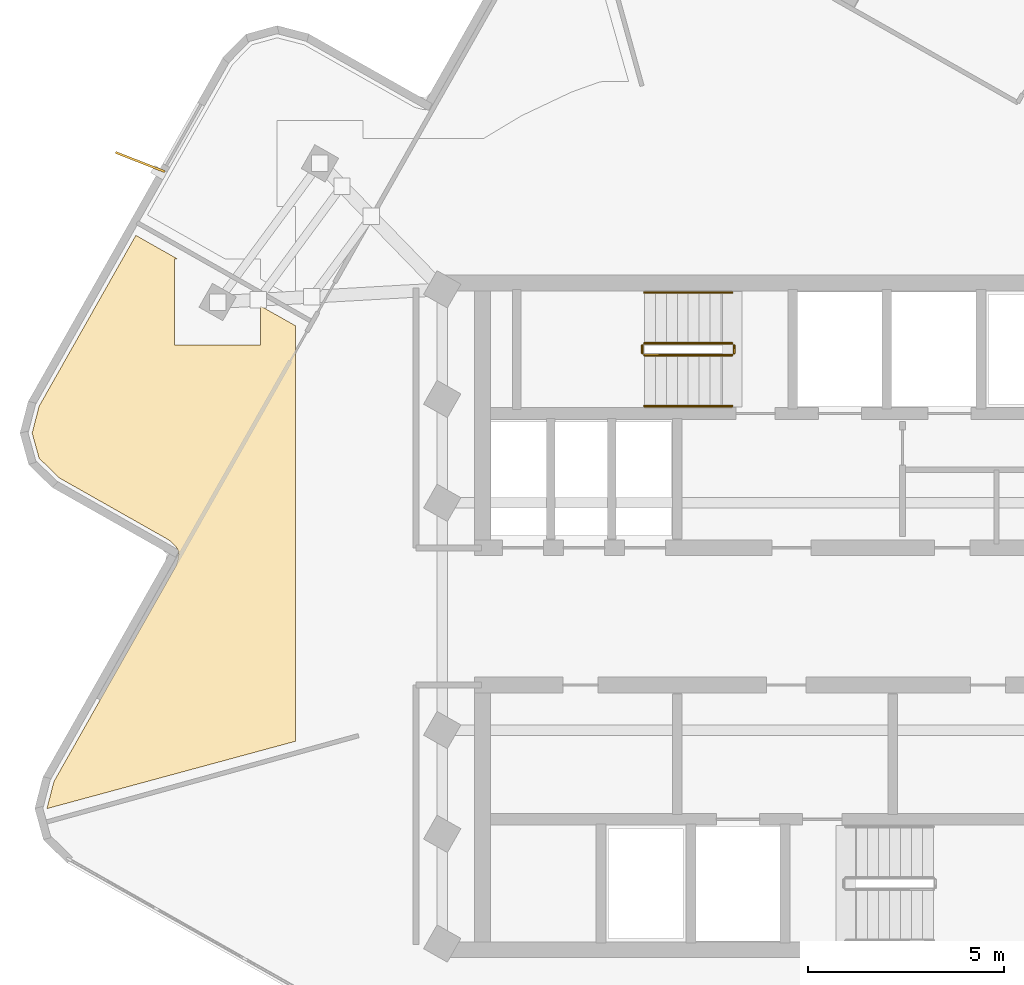
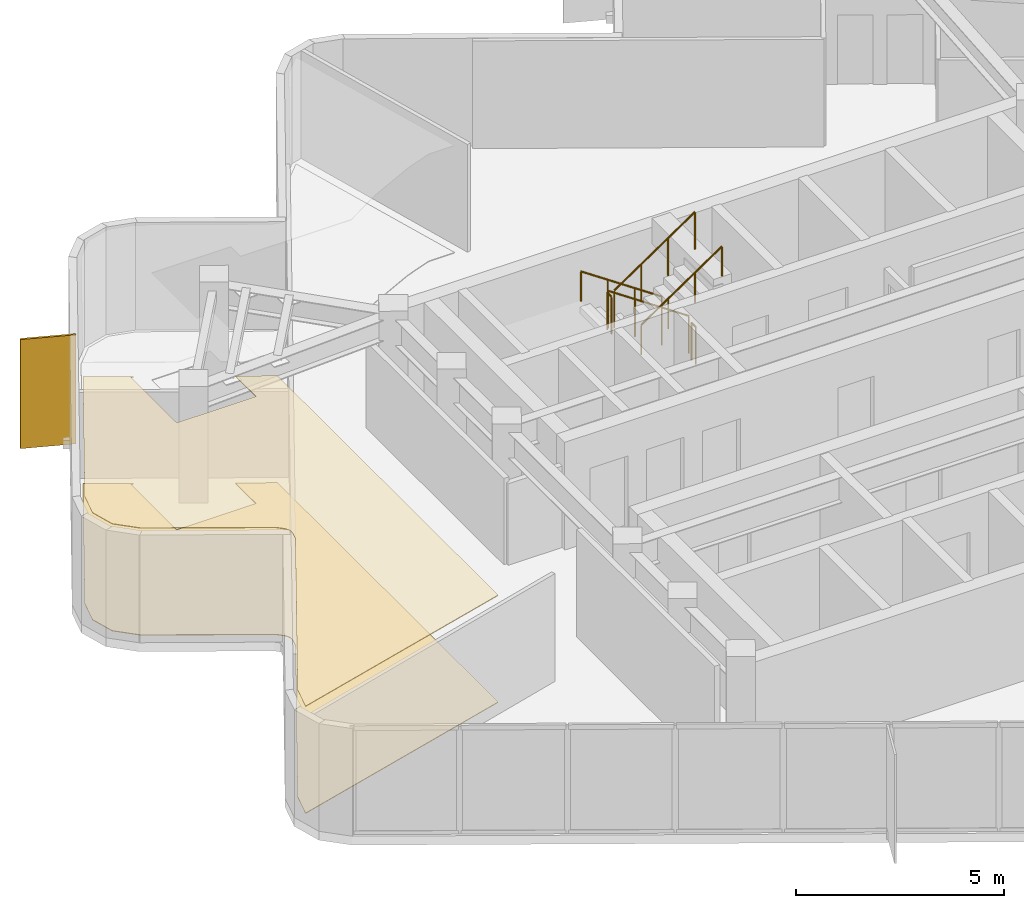
# One storey, part 8 of 9: 6 railings, 2 coverings, 1 shading device.
"""IFC4 building model written with IfcOpenShell, lengths in metres."""

from ifc_helpers import new_model, si_unit, direction, frame, origin, origin_2d, place, context, subcontext, project, spatial, polyline, rectangle, circle, outline, extrude, material, layer, layer_set, type_object, element, save


model = new_model("IFC4")

# Units and contexts
model_context = context("Model", 3, precision=1e-05, world=origin(), true_north=direction((0.0, 1.0)))
body_context = subcontext(model_context, "Body", "Model", "MODEL_VIEW")
ifc_project = project(units=[si_unit("LENGTHUNIT", "METRE"), si_unit("AREAUNIT", "SQUARE_METRE"), si_unit("VOLUMEUNIT", "CUBIC_METRE"), si_unit("PLANEANGLEUNIT", "RADIAN"), si_unit("MASSUNIT", "GRAM", prefix="KILO")], contexts=[model_context])

# Site, building, storey
site_placement = place(None, origin())
site = spatial("IfcSite", under=ifc_project, at=site_placement, CompositionType="ELEMENT")
building_placement = place(site_placement, origin())
building = spatial("IfcBuilding", under=site, at=building_placement, Name="Solmarez Civic Tower", CompositionType="ELEMENT")
storey_placement = place(building_placement, frame((0.0, 0.0, 278.280029296875)))
storey = spatial("IfcBuildingStorey", under=building, at=storey_placement, Name="L75", CompositionType="ELEMENT", Elevation=278.280029296875)

# Coverings
ifc_material_1 = material(Name="Perforated Mineral-Fibre Acoustic Ceiling")
ifc_layer_1 = layer(ifc_material_1, 0.02490234375)
ifc_layer_set_1 = layer_set([ifc_layer_1], Name="Perforated Mineral-Fibre Acoustic Ceiling")
covering_type_1 = type_object("IfcCoveringType", Name="COV-CEIL-ACOUSTIC", PredefinedType="CEILING", material=ifc_layer_set_1)
covering_1_placement = place(storey_placement, frame((0.0, 0.0, 3.135009765625)))
element("IfcCovering", 1, at=covering_1_placement, inside=storey, type_object=covering_type_1, Name="L75 Suspended Acoustic Ceiling 1", PredefinedType="CEILING", context=body_context, shape_type="SweptSolid", body=[
    extrude(outline(polyline([(-12.60009765625, -3.18798828125), (-12.60009765625, 7.422119140625), (-13.48291015625, 7.922119140625), (-13.48291015625, 6.926025390625), (-15.68310546875, 6.926025390625), (-15.68310546875, 9.1259765625), (-15.60888671875, 9.1259765625), (-16.6708984375, 9.72705078125), (-19.139892578125, 5.366943359375), (-19.318115234375, 4.680908203125), (-19.139892578125, 4.0390625), (-18.634033203125, 3.541015625), (-15.85498046875, 1.967041015625), (-15.8310546875, 1.952880859375), (-15.824951171875, 1.948974609375), (-15.80810546875, 1.93603515625), (-15.791015625, 1.922119140625), (-15.787109375, 1.9169921875), (-15.6630859375, 1.7958984375), (-15.657958984375, 1.791015625), (-15.64501953125, 1.77587890625), (-15.639892578125, 1.77001953125), (-15.6279296875, 1.75390625), (-15.617919921875, 1.738037109375), (-15.614013671875, 1.73095703125), (-15.60302734375, 1.708984375), (-15.60009765625, 1.701904296875), (-15.596923828125, 1.695068359375), (-15.5869140625, 1.66796875), (-15.5849609375, 1.660888671875), (-15.5810546875, 1.64501953125), (-15.5791015625, 1.6279296875), (-15.577880859375, 1.6220703125), (-15.576904296875, 1.616943359375), (-15.574951171875, 1.5859375), (-15.574951171875, 1.577880859375), (-15.576904296875, 1.547119140625), (-15.577880859375, 1.5400390625), (-15.5830078125, 1.51806640625), (-15.5849609375, 1.508056640625), (-15.6279296875, 1.342041015625), (-15.62890625, 1.3369140625), (-15.631103515625, 1.330078125), (-15.637939453125, 1.31005859375), (-15.64697265625, 1.2900390625), (-15.657958984375, 1.26904296875), (-18.760986328125, -4.212890625), (-18.93896484375, -4.89892578125), (-18.93701171875, -4.905029296875), (-12.60009765625, -3.18798828125)])), origin(), (0.0, 0.0, 1.0), 0.02490234375),
])
ifc_material_2 = material(Name="Polished Tropical Stone Terrazzo Flooring", Category="masonry")
ifc_layer_2 = layer(ifc_material_2, 0.02001953125)
ifc_layer_set_2 = layer_set([ifc_layer_2], Name="Polished Tropical Stone Terrazzo Flooring")
covering_type_2 = type_object("IfcCoveringType", Name="COV-FLOOR-TERRAZZO", PredefinedType="FLOORING", material=ifc_layer_set_2)
covering_2_placement = place(storey_placement, origin())
element("IfcCovering", 2, at=covering_2_placement, inside=storey, type_object=covering_type_2, Name="L75 Terrazzo Floor Finish 1", PredefinedType="FLOORING", context=body_context, shape_type="SweptSolid", body=[
    extrude(outline(polyline([(-12.60009765625, -3.18798828125), (-12.60009765625, 7.422119140625), (-13.48291015625, 7.922119140625), (-13.48291015625, 6.926025390625), (-15.68310546875, 6.926025390625), (-15.68310546875, 9.1259765625), (-15.60888671875, 9.1259765625), (-16.6708984375, 9.72705078125), (-19.139892578125, 5.366943359375), (-19.318115234375, 4.680908203125), (-19.139892578125, 4.0390625), (-18.634033203125, 3.541015625), (-15.85498046875, 1.967041015625), (-15.8310546875, 1.952880859375), (-15.824951171875, 1.948974609375), (-15.80810546875, 1.93603515625), (-15.791015625, 1.922119140625), (-15.787109375, 1.9169921875), (-15.6630859375, 1.7958984375), (-15.657958984375, 1.791015625), (-15.64501953125, 1.77587890625), (-15.639892578125, 1.77001953125), (-15.6279296875, 1.75390625), (-15.617919921875, 1.738037109375), (-15.614013671875, 1.73095703125), (-15.60302734375, 1.708984375), (-15.60009765625, 1.701904296875), (-15.596923828125, 1.695068359375), (-15.5869140625, 1.66796875), (-15.5849609375, 1.660888671875), (-15.5810546875, 1.64501953125), (-15.5791015625, 1.6279296875), (-15.577880859375, 1.6220703125), (-15.576904296875, 1.616943359375), (-15.574951171875, 1.5859375), (-15.574951171875, 1.577880859375), (-15.576904296875, 1.547119140625), (-15.577880859375, 1.5400390625), (-15.5830078125, 1.51806640625), (-15.5849609375, 1.508056640625), (-15.6279296875, 1.342041015625), (-15.62890625, 1.3369140625), (-15.631103515625, 1.330078125), (-15.637939453125, 1.31005859375), (-15.64697265625, 1.2900390625), (-15.657958984375, 1.26904296875), (-18.760986328125, -4.212890625), (-18.93896484375, -4.89892578125), (-18.93701171875, -4.905029296875), (-12.60009765625, -3.18798828125)])), origin(), (0.0, 0.0, 1.0), 0.02001953125),
])

# Shading device
ifc_material_3 = material(Name="Bronze Anodised Aluminium EN AW-6063 T6", Category="aluminium")
ifc_layer_3 = layer(ifc_material_3, 0.054931640625)
ifc_layer_set_3 = layer_set([ifc_layer_3], Name="Bronze Anodised Aluminium EN AW-6063 T6")
shading_device_type = type_object("IfcShadingDeviceType", Name="FIN-BRONZE-Z56", PredefinedType="USERDEFINED", material=ifc_layer_set_3)
shading_device_placement = place(storey_placement, frame((-16.55908203125, 11.59912109375, -0.0400390625), z_axis=(0.0, 0.0, 1.0), x_axis=(-0.931431051937, 0.363917841673, 0.0)))
element("IfcShadingDevice", 3, at=shading_device_placement, inside=storey, type_object=shading_device_type, Name="L75 Anodised Bronze Solar Fin FIN-L75-03", ObjectType="FIN", PredefinedType="USERDEFINED", context=body_context, shape_type="SweptSolid", body=[
    extrude(rectangle(XDim=1.35009765625, YDim=0.054931640625, at=origin_2d()), origin(), (0.0, 0.0, 1.0), 3.199951171875),
])

# Railings
ifc_material_4 = material(Name="Painted Steel Stairwell Safety Guard", Category="steel")
railing_type_1 = type_object("IfcRailingType", Name="GUARD-STAIR-1120", PredefinedType="BALUSTRADE", material=ifc_material_4)
railing_1_placement = place(storey_placement, frame((-1.449951171875, 6.969970703125, 0.18994140625)))
element("IfcRailing", 4, at=railing_1_placement, inside=storey, type_object=railing_type_1, Name="L75 ST-1 stair guard 1", PredefinedType="BALUSTRADE", context=body_context, shape_type="SweptSolid", body=[
    extrude(circle(Radius=0.02392578125, at=origin_2d()), frame((0.0, 0.0, 1.09619140625), z_axis=(-0.827471284677, 0.0, 0.561508034703), x_axis=(0.0, -1.0, 0.0)), (0.0, 0.0, 1.0), 2.70703125),
    extrude(circle(Radius=0.02099609375, at=origin_2d()), origin(), (0.0, 0.0, 1.0), 1.072021484375),
    extrude(circle(Radius=0.02099609375, at=origin_2d()), frame((-0.74658203125, 0.0, 0.506591796875)), (0.0, 0.0, 1.0), 1.072021484375),
    extrude(circle(Radius=0.02099609375, at=origin_2d()), frame((-1.493408203125, 0.0, 1.013427734375)), (0.0, 0.0, 1.0), 1.072021484375),
    extrude(circle(Radius=0.02099609375, at=origin_2d()), frame((-2.239990234375, 0.0, 1.52001953125)), (0.0, 0.0, 1.0), 1.072021484375),
])
railing_2_placement = place(storey_placement, frame((-3.739990234375, 6.919921875, 1.7099609375)))
element("IfcRailing", 5, at=railing_2_placement, inside=storey, type_object=railing_type_1, Name="L75 ST-1 stair guard 2", PredefinedType="BALUSTRADE", context=body_context, shape_type="SweptSolid", body=[
    extrude(circle(Radius=0.02392578125, at=origin_2d()), frame((0.0, 0.0, 1.09619140625), z_axis=(0.0, -1.0, 0.0), x_axis=(1.0, 0.0, 0.0)), (0.0, 0.0, 1.0), 0.199951171875),
    extrude(circle(Radius=0.02099609375, at=origin_2d()), origin(), (0.0, 0.0, 1.0), 1.072021484375),
    extrude(circle(Radius=0.02099609375, at=origin_2d()), frame((0.0, -0.199951171875, 0.0)), (0.0, 0.0, 1.0), 1.072021484375),
])
railing_3_placement = place(storey_placement, frame((-3.68994140625, 6.669921875, 1.89990234375)))
element("IfcRailing", 6, at=railing_3_placement, inside=storey, type_object=railing_type_1, Name="L75 ST-1 stair guard 3", PredefinedType="BALUSTRADE", context=body_context, shape_type="SweptSolid", body=[
    extrude(circle(Radius=0.02392578125, at=origin_2d()), frame((0.0, 0.0, 1.09619140625), z_axis=(0.827471284677, 0.0, 0.561508034703), x_axis=(0.0, 1.0, 0.0)), (0.0, 0.0, 1.0), 2.70703125),
    extrude(circle(Radius=0.02099609375, at=origin_2d()), origin(), (0.0, 0.0, 1.0), 1.072021484375),
    extrude(circle(Radius=0.02099609375, at=origin_2d()), frame((0.74658203125, 0.0, 0.506591796875)), (0.0, 0.0, 1.0), 1.072021484375),
    extrude(circle(Radius=0.02099609375, at=origin_2d()), frame((1.493408203125, 0.0, 1.013427734375)), (0.0, 0.0, 1.0), 1.072021484375),
    extrude(circle(Radius=0.02099609375, at=origin_2d()), frame((2.239990234375, 0.0, 1.52001953125)), (0.0, 0.0, 1.0), 1.072021484375),
])
railing_4_placement = place(storey_placement, frame((-1.39990234375, 6.919921875, 0.0)))
element("IfcRailing", 7, at=railing_4_placement, inside=storey, type_object=railing_type_1, Name="L75 ST-1 stair guard 4", PredefinedType="BALUSTRADE", context=body_context, shape_type="SweptSolid", body=[
    extrude(circle(Radius=0.02392578125, at=origin_2d()), frame((0.0, 0.0, 1.09619140625), z_axis=(0.0, -1.0, 0.0), x_axis=(1.0, 0.0, 0.0)), (0.0, 0.0, 1.0), 0.199951171875),
    extrude(circle(Radius=0.02099609375, at=origin_2d()), origin(), (0.0, 0.0, 1.0), 1.072021484375),
    extrude(circle(Radius=0.02099609375, at=origin_2d()), frame((0.0, -0.199951171875, 0.0)), (0.0, 0.0, 1.0), 1.072021484375),
])
ifc_material_5 = material(Name="Brushed Stainless Steel Tube Handrail", Category="steel")
railing_type_2 = type_object("IfcRailingType", Name="HANDRAIL-STAIR-900", PredefinedType="HANDRAIL", material=ifc_material_5)
railing_5_placement = place(storey_placement, frame((-1.449951171875, 8.27001953125, 0.18994140625)))
element("IfcRailing", 8, at=railing_5_placement, inside=storey, type_object=railing_type_2, Name="L75 ST-1 stair handrail 1", PredefinedType="HANDRAIL", context=body_context, shape_type="SweptSolid", body=[
    extrude(circle(Radius=0.02392578125, at=origin_2d()), frame((0.0, 0.0, 0.8759765625), z_axis=(-0.827471284677, 0.0, 0.561508034703), x_axis=(0.0, -1.0, 0.0)), (0.0, 0.0, 1.0), 2.70703125),
    extrude(circle(Radius=0.02099609375, at=origin_2d()), origin(), (0.0, 0.0, 1.0), 0.851806640625),
    extrude(circle(Radius=0.02099609375, at=origin_2d()), frame((-0.74658203125, 0.0, 0.506591796875)), (0.0, 0.0, 1.0), 0.851806640625),
    extrude(circle(Radius=0.02099609375, at=origin_2d()), frame((-1.493408203125, 0.0, 1.013427734375)), (0.0, 0.0, 1.0), 0.851806640625),
    extrude(circle(Radius=0.02099609375, at=origin_2d()), frame((-2.239990234375, 0.0, 1.52001953125)), (0.0, 0.0, 1.0), 0.851806640625),
])
railing_6_placement = place(storey_placement, frame((-3.68994140625, 5.3701171875, 1.89990234375)))
element("IfcRailing", 9, at=railing_6_placement, inside=storey, type_object=railing_type_2, Name="L75 ST-1 stair handrail 2", PredefinedType="HANDRAIL", context=body_context, shape_type="SweptSolid", body=[
    extrude(circle(Radius=0.02392578125, at=origin_2d()), frame((0.0, 0.0, 0.8759765625), z_axis=(0.827471284677, 0.0, 0.561508034703), x_axis=(0.0, 1.0, 0.0)), (0.0, 0.0, 1.0), 2.70703125),
    extrude(circle(Radius=0.02099609375, at=origin_2d()), origin(), (0.0, 0.0, 1.0), 0.851806640625),
    extrude(circle(Radius=0.02099609375, at=origin_2d()), frame((0.74658203125, 0.0, 0.506591796875)), (0.0, 0.0, 1.0), 0.851806640625),
    extrude(circle(Radius=0.02099609375, at=origin_2d()), frame((1.493408203125, 0.0, 1.013427734375)), (0.0, 0.0, 1.0), 0.851806640625),
    extrude(circle(Radius=0.02099609375, at=origin_2d()), frame((2.239990234375, 0.0, 1.52001953125)), (0.0, 0.0, 1.0), 0.851806640625),
])

save(model, "model.ifc")
